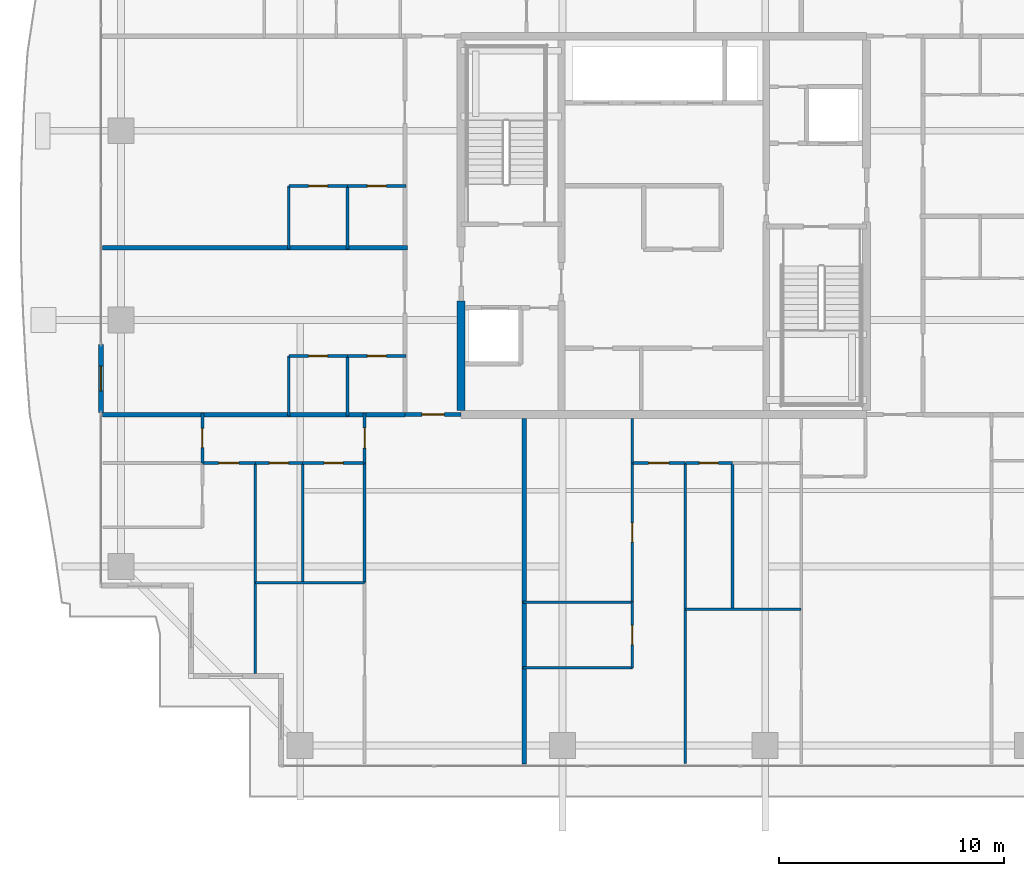
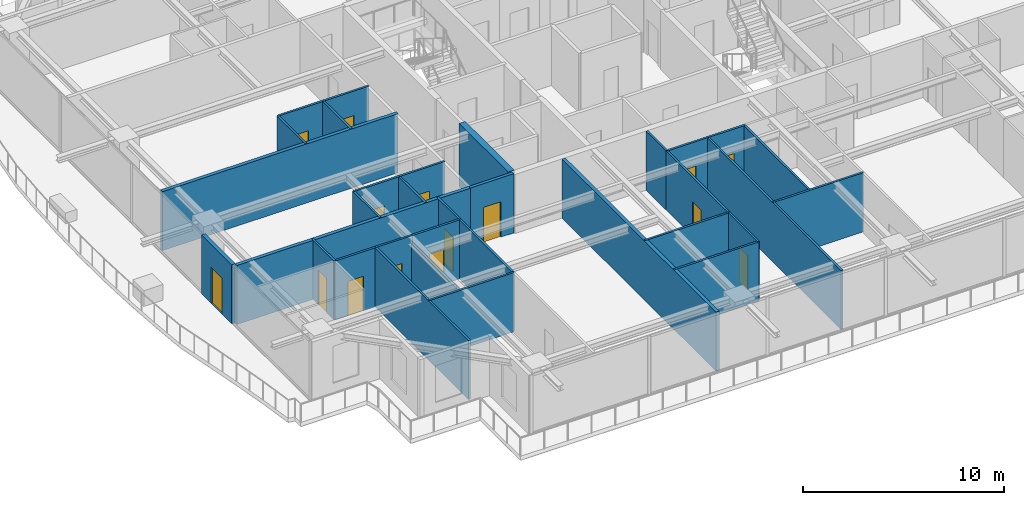
# One storey, part 27 of 39: 33 walls, 15 doors, 15 openings.
"""IFC4 building model written with IfcOpenShell, lengths in metres."""

from ifc_helpers import new_model, si_unit, direction, frame, frame_2d, origin, place, context, subcontext, project, spatial, rectangle, extrude, source, transform, mapped, material, layer, layer_set, type_object, element, fill, save


model = new_model("IFC4")

# Units and contexts
model_context = context("Model", 3, precision=1e-05, world=origin(), true_north=direction((0.0, 1.0)))
body_context = subcontext(model_context, "Body", "Model", "MODEL_VIEW")
ifc_project = project(units=[si_unit("LENGTHUNIT", "METRE"), si_unit("AREAUNIT", "SQUARE_METRE"), si_unit("VOLUMEUNIT", "CUBIC_METRE"), si_unit("PLANEANGLEUNIT", "RADIAN"), si_unit("MASSUNIT", "GRAM", prefix="KILO")], contexts=[model_context])

# Site, building, storey
site_placement = place(None, origin())
site = spatial("IfcSite", under=ifc_project, at=site_placement, CompositionType="ELEMENT")
building_placement = place(site_placement, origin())
building = spatial("IfcBuilding", under=site, at=building_placement, Name="Serunith Strait Residences", CompositionType="ELEMENT")
storey_placement = place(building_placement, frame((0.0, 0.0, 222.0)))
storey = spatial("IfcBuildingStorey", under=building, at=storey_placement, Name="L55", CompositionType="ELEMENT", Elevation=222.0)

# Wall, opening, door
ifc_material_1 = material(Name="Pale-Champagne Aluminium Insulated Panel", Category="aluminium")
ifc_layer_1 = layer(ifc_material_1, 0.219970703125, Name="Pale-Champagne Aluminium Insulated Panel")
ifc_layer_set_1 = layer_set([ifc_layer_1], Name="Pale-Champagne Aluminium Insulated Panel")
wall_type_1 = type_object("IfcWallType", Name="EW-ALUM-220", PredefinedType="ELEMENTEDWALL", material=ifc_layer_set_1)
wall_1_placement = place(storey_placement, frame((7.39990234375, 19.89990234375, 0.0), z_axis=(0.0, 0.0, 1.0), x_axis=(0.0, -1.0, 0.0)))
wall_1 = element("IfcWall", 1, at=wall_1_placement, inside=storey, type_object=wall_type_1, Name="L55 W Facade Pier Wall", PredefinedType="ELEMENTEDWALL", context=body_context, shape_type="SweptSolid", body=[
    extrude(rectangle(XDim=3.0, YDim=0.219970703125, at=frame_2d((1.5, 0.0))), origin(), (0.0, 0.0, 1.0), 3.574951171875),
])
opening_1_placement = place(wall_1_placement, frame((0.949951171875, 0.0, 0.0)))
opening_1 = element("IfcOpeningElement", 2, at=opening_1_placement, cuts=wall_1, Name="Opening ED-03", PredefinedType="OPENING", context=body_context, shape_type="SweptSolid", body=[
    extrude(rectangle(XDim=1.10009765625, YDim=2.199951171875, at=frame_2d((0.550048828125, 1.10009765625))), frame((0.0, 0.1201171875, 0.0), z_axis=(0.0, -1.0, 0.0), x_axis=(1.0, 0.0, 0.0)), (0.0, 0.0, 1.0), 0.239990234375),
])
ifc_material_2 = material(Name="Thermally-Broken Aluminium Glazed Balcony Door", Category="aluminium")
door_type_1 = type_object("IfcDoorType", Name="ED-BALC-1100", OperationType="NOTDEFINED", PredefinedType="DOOR", material=ifc_material_2)
shared_shape_1 = source(origin(), body_context, "Body", "SweptSolid", [
    extrude(rectangle(XDim=1.10009765625, YDim=2.199951171875, at=frame_2d((0.550048828125, 1.10009765625))), frame((0.0, 0.02490234375, 0.0), z_axis=(0.0, -1.0, 0.0), x_axis=(1.0, 0.0, 0.0)), (0.0, 0.0, 1.0), 0.050048828125),
])
door_1_placement = place(opening_1_placement, origin())
door_1 = element("IfcDoor", 3, at=door_1_placement, inside=storey, type_object=door_type_1, Name="L55 W Vertical-Forest Balcony Door", OperationType="SINGLE_SWING_LEFT", OverallHeight=2.199951171875, OverallWidth=1.10009765625, PredefinedType="DOOR", context=body_context, shape_type="MappedRepresentation", body=[
    mapped(shared_shape_1, transform((0.0, 0.0, 0.0), scale=1.0)),
])
fill(opening_1, door_1)

ifc_material_3 = material(Name="Fire-rated acoustic gypsum partition")
ifc_layer_2 = layer(ifc_material_3, 0.179931640625, Name="Fire-rated acoustic gypsum partition")
ifc_layer_set_2 = layer_set([ifc_layer_2], Name="Fire-rated acoustic gypsum partition")
wall_type_2 = type_object("IfcWallType", Name="IW-CORR-180", PredefinedType="PARTITIONING", material=ifc_layer_set_2)
wall_2_placement = place(storey_placement, frame((20.902099609375, 16.800048828125, 0.0), z_axis=(0.0, 0.0, 1.0), x_axis=(1.0, 0.0, 0.0)))
wall_2 = element("IfcWall", 4, at=wall_2_placement, inside=storey, type_object=wall_type_2, Name="L55 Partition Wall 027", PredefinedType="PARTITIONING", context=body_context, shape_type="SweptSolid", body=[
    extrude(rectangle(XDim=2.495849609375, YDim=0.179931640625, at=frame_2d((1.248046875, 0.0))), origin(), (0.0, 0.0, 1.0), 3.590087890625),
])
opening_2_placement = place(wall_2_placement, frame((0.748046875, 0.0, 0.0)))
opening_2 = element("IfcOpeningElement", 5, at=opening_2_placement, cuts=wall_2, Name="Opening D-APT1000", PredefinedType="OPENING", context=body_context, shape_type="SweptSolid", body=[
    extrude(rectangle(XDim=1.0, YDim=2.14990234375, at=frame_2d((0.5, 1.074951171875))), frame((0.0, 0.10009765625, 0.0), z_axis=(0.0, -1.0, 0.0), x_axis=(1.0, 0.0, 0.0)), (0.0, 0.0, 1.0), 0.199951171875),
])
ifc_material_4 = material(Name="Solid timber engineered fire door", Category="wood")
door_type_2 = type_object("IfcDoorType", Name="ID-APT-1000", OperationType="NOTDEFINED", PredefinedType="DOOR", material=ifc_material_4)
shared_shape_2 = source(origin(), body_context, "Body", "SweptSolid", [
    extrude(rectangle(XDim=1.0, YDim=2.14990234375, at=frame_2d((0.5, 1.074951171875))), frame((0.0, 0.02490234375, 0.0), z_axis=(0.0, -1.0, 0.0), x_axis=(1.0, 0.0, 0.0)), (0.0, 0.0, 1.0), 0.050048828125),
])
door_2_placement = place(opening_2_placement, origin())
door_2 = element("IfcDoor", 6, at=door_2_placement, inside=storey, type_object=door_type_2, Name="L55 Unit 01 Entrance Door", OperationType="SINGLE_SWING_LEFT", OverallHeight=2.14990234375, OverallWidth=1.0, PredefinedType="DOOR", context=body_context, shape_type="MappedRepresentation", body=[
    mapped(shared_shape_2, transform((0.0, 0.0, 0.0), scale=1.0)),
])
fill(opening_2, door_2)

ifc_material_5 = material(Name="Lightweight steel-stud gypsum partition", Category="steel")
ifc_layer_3 = layer(ifc_material_5, 0.1201171875, Name="Lightweight steel-stud gypsum partition")
ifc_layer_set_3 = layer_set([ifc_layer_3], Name="Lightweight steel-stud gypsum partition")
wall_type_3 = type_object("IfcWallType", Name="IW-PART-120", PredefinedType="PARTITIONING", material=ifc_layer_set_3)
wall_3_placement = place(storey_placement, frame((19.110107421875, 14.64990234375, 0.0), z_axis=(0.0, 0.0, 1.0), x_axis=(0.0, 1.0, 0.0)))
wall_3 = element("IfcWall", 7, at=wall_3_placement, inside=storey, type_object=wall_type_3, Name="L55 Partition Wall 033", PredefinedType="PARTITIONING", context=body_context, shape_type="SweptSolid", body=[
    extrude(rectangle(XDim=2.210205078125, YDim=0.1201171875, at=frame_2d((1.10498046875, 0.0))), origin(), (0.0, 0.0, 1.0), 3.590087890625),
])
opening_3_placement = place(wall_3_placement, frame((0.655029296875, 0.0, 0.0)))
opening_3 = element("IfcOpeningElement", 8, at=opening_3_placement, cuts=wall_3, Name="Opening D-RM900", PredefinedType="OPENING", context=body_context, shape_type="SweptSolid", body=[
    extrude(rectangle(XDim=0.89990234375, YDim=2.10009765625, at=frame_2d((0.449951171875, 1.050048828125))), frame((0.0, 0.070068359375, 0.0), z_axis=(0.0, -1.0, 0.0), x_axis=(1.0, 0.0, 0.0)), (0.0, 0.0, 1.0), 0.14013671875),
])
ifc_material_6 = material(Name="Engineered timber flush bedroom door", Category="wood")
door_type_3 = type_object("IfcDoorType", Name="ID-ROOM-900", OperationType="NOTDEFINED", PredefinedType="DOOR", material=ifc_material_6)
shared_shape_3 = source(origin(), body_context, "Body", "SweptSolid", [
    extrude(rectangle(XDim=0.89990234375, YDim=2.10009765625, at=frame_2d((0.449951171875, 1.050048828125))), frame((0.0, 0.02490234375, 0.0), z_axis=(0.0, -1.0, 0.0), x_axis=(1.0, 0.0, 0.0)), (0.0, 0.0, 1.0), 0.050048828125),
])
door_3_placement = place(opening_3_placement, origin())
door_3 = element("IfcDoor", 9, at=door_3_placement, inside=storey, type_object=door_type_3, Name="L55 Hall W 5501 Door", OperationType="SINGLE_SWING_LEFT", OverallHeight=2.10009765625, OverallWidth=0.89990234375, PredefinedType="DOOR", context=body_context, shape_type="MappedRepresentation", body=[
    mapped(shared_shape_3, transform((0.0, 0.0, 0.0), scale=1.0)),
])
fill(opening_3, door_3)

# Walls
wall_4_placement = place(storey_placement, frame((19.110107421875, 9.3369140625, 0.0), z_axis=(0.0, 0.0, 1.0), x_axis=(0.0, 1.0, 0.0)))
element("IfcWall", 10, at=wall_4_placement, inside=storey, type_object=wall_type_3, Name="L55 Partition Wall 035", PredefinedType="PARTITIONING", context=body_context, shape_type="SweptSolid", body=[
    extrude(rectangle(XDim=5.31103515625, YDim=0.1201171875, at=frame_2d((2.655517578125, 0.0))), origin(), (0.0, 0.0, 1.0), 3.590087890625),
])
wall_5_placement = place(storey_placement, frame((14.260009765625, 9.3349609375, 0.0), z_axis=(0.0, 0.0, 1.0), x_axis=(1.0, 0.0, 0.0)))
element("IfcWall", 11, at=wall_5_placement, inside=storey, type_object=wall_type_3, Name="L55 Partition Wall 036", PredefinedType="PARTITIONING", context=body_context, shape_type="SweptSolid", body=[
    extrude(rectangle(XDim=4.85009765625, YDim=0.1201171875, at=frame_2d((2.425048828125, 0.0))), origin(), (0.0, 0.0, 1.0), 3.590087890625),
])
wall_6_placement = place(storey_placement, frame((14.260009765625, 5.294921875, 0.0), z_axis=(0.0, 0.0, 1.0), x_axis=(0.0, 1.0, 0.0)))
element("IfcWall", 12, at=wall_6_placement, inside=storey, type_object=wall_type_3, Name="L55 Partition Wall 037", PredefinedType="PARTITIONING", context=body_context, shape_type="SweptSolid", body=[
    extrude(rectangle(XDim=9.35498046875, YDim=0.1201171875, at=frame_2d((4.677490234375, 0.0))), origin(), (0.0, 0.0, 1.0), 3.590087890625),
])
wall_7_placement = place(storey_placement, frame((16.360107421875, 9.3349609375, 0.0), z_axis=(0.0, 0.0, 1.0), x_axis=(0.0, 1.0, 0.0)))
element("IfcWall", 13, at=wall_7_placement, inside=storey, type_object=wall_type_3, Name="L55 Partition Wall 038", PredefinedType="PARTITIONING", context=body_context, shape_type="SweptSolid", body=[
    extrude(rectangle(XDim=5.31494140625, YDim=0.1201171875, at=frame_2d((2.657470703125, 0.0))), origin(), (0.0, 0.0, 1.0), 3.1220703125),
])

# Wall, opening, door
wall_8_placement = place(storey_placement, frame((14.260009765625, 14.64990234375, 0.0), z_axis=(0.0, 0.0, 1.0), x_axis=(1.0, 0.0, 0.0)))
wall_8 = element("IfcWall", 14, at=wall_8_placement, inside=storey, type_object=wall_type_3, Name="L55 Partition Wall 039", PredefinedType="PARTITIONING", context=body_context, shape_type="SweptSolid", body=[
    extrude(rectangle(XDim=2.10009765625, YDim=0.1201171875, at=frame_2d((1.050048828125, 0.0))), origin(), (0.0, 0.0, 1.0), 3.590087890625),
])
opening_4_placement = place(wall_8_placement, frame((0.625, 0.0, 0.0)))
opening_4 = element("IfcOpeningElement", 15, at=opening_4_placement, cuts=wall_8, Name="Opening D-BTH850", PredefinedType="OPENING", context=body_context, shape_type="SweptSolid", body=[
    extrude(rectangle(XDim=0.85009765625, YDim=2.10009765625, at=frame_2d((0.425048828125, 1.050048828125))), frame((0.0, 0.070068359375, 0.0), z_axis=(0.0, -1.0, 0.0), x_axis=(1.0, 0.0, 0.0)), (0.0, 0.0, 1.0), 0.14013671875),
])
ifc_material_7 = material(Name="Moisture-resistant timber bathroom door", Category="wood")
door_type_4 = type_object("IfcDoorType", Name="ID-BATH-850", OperationType="NOTDEFINED", PredefinedType="DOOR", material=ifc_material_7)
shared_shape_4 = source(origin(), body_context, "Body", "SweptSolid", [
    extrude(rectangle(XDim=0.85009765625, YDim=2.10009765625, at=frame_2d((0.425048828125, 1.050048828125))), frame((0.0, 0.02490234375, 0.0), z_axis=(0.0, -1.0, 0.0), x_axis=(1.0, 0.0, 0.0)), (0.0, 0.0, 1.0), 0.050048828125),
])
door_4_placement = place(opening_4_placement, origin())
door_4 = element("IfcDoor", 16, at=door_4_placement, inside=storey, type_object=door_type_4, Name="L55 Bathroom 5501 Door", OperationType="SINGLE_SWING_LEFT", OverallHeight=2.10009765625, OverallWidth=0.85009765625, PredefinedType="DOOR", context=body_context, shape_type="MappedRepresentation", body=[
    mapped(shared_shape_4, transform((0.0, 0.0, 0.0), scale=1.0)),
])
fill(opening_4, door_4)

wall_9_placement = place(storey_placement, frame((16.362060546875, 14.64990234375, 0.0), z_axis=(0.0, 0.0, 1.0), x_axis=(1.0, 0.0, 0.0)))
wall_9 = element("IfcWall", 17, at=wall_9_placement, inside=storey, type_object=wall_type_3, Name="L55 Partition Wall 040", PredefinedType="PARTITIONING", context=body_context, shape_type="SweptSolid", body=[
    extrude(rectangle(XDim=2.748046875, YDim=0.1201171875, at=frame_2d((1.3740234375, 0.0))), origin(), (0.0, 0.0, 1.0), 3.590087890625),
])
opening_5_placement = place(wall_9_placement, frame((0.948974609375, 0.0, 0.0)))
opening_5 = element("IfcOpeningElement", 18, at=opening_5_placement, cuts=wall_9, Name="Opening D-RM850", PredefinedType="OPENING", context=body_context, shape_type="SweptSolid", body=[
    extrude(rectangle(XDim=0.85009765625, YDim=2.10009765625, at=frame_2d((0.425048828125, 1.050048828125))), frame((0.0, 0.070068359375, 0.0), z_axis=(0.0, -1.0, 0.0), x_axis=(1.0, 0.0, 0.0)), (0.0, 0.0, 1.0), 0.14013671875),
])
ifc_material_8 = material(Name="Engineered timber flush study and kitchen door", Category="wood")
door_type_5 = type_object("IfcDoorType", Name="ID-ROOM-850", OperationType="NOTDEFINED", PredefinedType="DOOR", material=ifc_material_8)
door_5_placement = place(opening_5_placement, origin())
door_5 = element("IfcDoor", 19, at=door_5_placement, inside=storey, type_object=door_type_5, Name="L55 Kitchen 5501 Door", OperationType="SINGLE_SWING_RIGHT", OverallHeight=2.10009765625, OverallWidth=0.85009765625, PredefinedType="DOOR", context=body_context, shape_type="MappedRepresentation", body=[
    mapped(shared_shape_4, transform((0.0, 0.0, 0.0), scale=1.0)),
])
fill(opening_5, door_5)

wall_10_placement = place(storey_placement, frame((11.909912109375, 14.64990234375, 0.0), z_axis=(0.0, 0.0, 1.0), x_axis=(1.0, 0.0, 0.0)))
wall_10 = element("IfcWall", 20, at=wall_10_placement, inside=storey, type_object=wall_type_3, Name="L55 Partition Wall 041", PredefinedType="PARTITIONING", context=body_context, shape_type="SweptSolid", body=[
    extrude(rectangle(XDim=2.34814453125, YDim=0.1201171875, at=frame_2d((1.174072265625, 0.0))), origin(), (0.0, 0.0, 1.0), 3.590087890625),
])
opening_6_placement = place(wall_10_placement, frame((0.72412109375, 0.0, 0.0)))
opening_6 = element("IfcOpeningElement", 21, at=opening_6_placement, cuts=wall_10, Name="Opening D-RM900", PredefinedType="OPENING", context=body_context, shape_type="SweptSolid", body=[
    extrude(rectangle(XDim=0.89990234375, YDim=2.10009765625, at=frame_2d((0.449951171875, 1.050048828125))), frame((0.0, 0.070068359375, 0.0), z_axis=(0.0, -1.0, 0.0), x_axis=(1.0, 0.0, 0.0)), (0.0, 0.0, 1.0), 0.14013671875),
])
door_6_placement = place(opening_6_placement, origin())
door_6 = element("IfcDoor", 22, at=door_6_placement, inside=storey, type_object=door_type_3, Name="L55 Master Bedroom W 5501 Door", OperationType="SINGLE_SWING_LEFT", OverallHeight=2.10009765625, OverallWidth=0.89990234375, PredefinedType="DOOR", context=body_context, shape_type="MappedRepresentation", body=[
    mapped(shared_shape_3, transform((0.0, 0.0, 0.0), scale=1.0)),
])
fill(opening_6, door_6)

wall_11_placement = place(storey_placement, frame((11.909912109375, 14.652099609375, 0.0), z_axis=(0.0, 0.0, 1.0), x_axis=(0.0, 1.0, 0.0)))
wall_11 = element("IfcWall", 23, at=wall_11_placement, inside=storey, type_object=wall_type_3, Name="L55 Partition Wall 045", PredefinedType="PARTITIONING", context=body_context, shape_type="SweptSolid", body=[
    extrude(rectangle(XDim=2.2080078125, YDim=0.1201171875, at=frame_2d((1.10400390625, 0.0))), origin(), (0.0, 0.0, 1.0), 3.590087890625),
])
opening_7_placement = place(wall_11_placement, frame((0.678955078125, 0.0, 0.0)))
opening_7 = element("IfcOpeningElement", 24, at=opening_7_placement, cuts=wall_11, Name="Opening D-RM850", PredefinedType="OPENING", context=body_context, shape_type="SweptSolid", body=[
    extrude(rectangle(XDim=0.85009765625, YDim=2.10009765625, at=frame_2d((0.425048828125, 1.050048828125))), frame((0.0, 0.070068359375, 0.0), z_axis=(0.0, -1.0, 0.0), x_axis=(1.0, 0.0, 0.0)), (0.0, 0.0, 1.0), 0.14013671875),
])
door_7_placement = place(opening_7_placement, origin())
door_7 = element("IfcDoor", 25, at=door_7_placement, inside=storey, type_object=door_type_5, Name="L55 Wardrobe W 5501 Door", OperationType="SINGLE_SWING_LEFT", OverallHeight=2.10009765625, OverallWidth=0.85009765625, PredefinedType="DOOR", context=body_context, shape_type="MappedRepresentation", body=[
    mapped(shared_shape_4, transform((0.0, 0.0, 0.0), scale=1.0)),
])
fill(opening_7, door_7)

# Walls
wall_12_placement = place(storey_placement, frame((33.35009765625, 8.14990234375, 0.0), z_axis=(0.0, 0.0, 1.0), x_axis=(1.0, 0.0, 0.0)))
element("IfcWall", 26, at=wall_12_placement, inside=storey, type_object=wall_type_3, Name="L55 Partition Wall 051", PredefinedType="PARTITIONING", context=body_context, shape_type="SweptSolid", body=[
    extrude(rectangle(XDim=5.14990234375, YDim=0.1201171875, at=frame_2d((2.574951171875, 0.0))), origin(), (0.0, 0.0, 1.0), 3.590087890625),
])
wall_13_placement = place(storey_placement, frame((33.35009765625, 1.294921875, 0.0), z_axis=(0.0, 0.0, 1.0), x_axis=(0.0, 1.0, 0.0)))
element("IfcWall", 27, at=wall_13_placement, inside=storey, type_object=wall_type_3, Name="L55 Partition Wall 052", PredefinedType="PARTITIONING", context=body_context, shape_type="SweptSolid", body=[
    extrude(rectangle(XDim=13.35498046875, YDim=0.1201171875, at=frame_2d((6.677490234375, 0.0))), origin(), (0.0, 0.0, 1.0), 3.590087890625),
])
wall_14_placement = place(storey_placement, frame((35.449951171875, 8.14990234375, 0.0), z_axis=(0.0, 0.0, 1.0), x_axis=(0.0, 1.0, 0.0)))
element("IfcWall", 28, at=wall_14_placement, inside=storey, type_object=wall_type_3, Name="L55 Partition Wall 053", PredefinedType="PARTITIONING", context=body_context, shape_type="SweptSolid", body=[
    extrude(rectangle(XDim=6.5, YDim=0.1201171875, at=frame_2d((3.25, 0.0))), origin(), (0.0, 0.0, 1.0), 3.590087890625),
])

# Wall, opening, door
wall_15_placement = place(storey_placement, frame((33.35009765625, 14.64990234375, 0.0), z_axis=(0.0, 0.0, 1.0), x_axis=(1.0, 0.0, 0.0)))
wall_15 = element("IfcWall", 29, at=wall_15_placement, inside=storey, type_object=wall_type_3, Name="L55 Partition Wall 054", PredefinedType="PARTITIONING", context=body_context, shape_type="SweptSolid", body=[
    extrude(rectangle(XDim=2.099853515625, YDim=0.1201171875, at=frame_2d((1.0498046875, 0.0))), origin(), (0.0, 0.0, 1.0), 3.590087890625),
])
opening_8_placement = place(wall_15_placement, frame((0.625, 0.0, 0.0)))
opening_8 = element("IfcOpeningElement", 30, at=opening_8_placement, cuts=wall_15, Name="Opening D-BTH850", PredefinedType="OPENING", context=body_context, shape_type="SweptSolid", body=[
    extrude(rectangle(XDim=0.85009765625, YDim=2.10009765625, at=frame_2d((0.425048828125, 1.050048828125))), frame((0.0, 0.070068359375, 0.0), z_axis=(0.0, -1.0, 0.0), x_axis=(1.0, 0.0, 0.0)), (0.0, 0.0, 1.0), 0.14013671875),
])
door_8_placement = place(opening_8_placement, origin())
door_8 = element("IfcDoor", 31, at=door_8_placement, inside=storey, type_object=door_type_4, Name="L55 Bathroom 5502 Door", OperationType="SINGLE_SWING_LEFT", OverallHeight=2.10009765625, OverallWidth=0.85009765625, PredefinedType="DOOR", context=body_context, shape_type="MappedRepresentation", body=[
    mapped(shared_shape_4, transform((0.0, 0.0, 0.0), scale=1.0)),
])
fill(opening_8, door_8)

wall_16_placement = place(storey_placement, frame((31.0, 14.64990234375, 0.0), z_axis=(0.0, 0.0, 1.0), x_axis=(1.0, 0.0, 0.0)))
wall_16 = element("IfcWall", 32, at=wall_16_placement, inside=storey, type_object=wall_type_3, Name="L55 Partition Wall 056", PredefinedType="PARTITIONING", context=body_context, shape_type="SweptSolid", body=[
    extrude(rectangle(XDim=2.347900390625, YDim=0.1201171875, at=frame_2d((1.173828125, 0.0))), origin(), (0.0, 0.0, 1.0), 3.590087890625),
])
opening_9_placement = place(wall_16_placement, frame((0.72412109375, 0.0, 0.0)))
opening_9 = element("IfcOpeningElement", 33, at=opening_9_placement, cuts=wall_16, Name="Opening D-RM900", PredefinedType="OPENING", context=body_context, shape_type="SweptSolid", body=[
    extrude(rectangle(XDim=0.89990234375, YDim=2.10009765625, at=frame_2d((0.449951171875, 1.050048828125))), frame((0.0, 0.070068359375, 0.0), z_axis=(0.0, -1.0, 0.0), x_axis=(1.0, 0.0, 0.0)), (0.0, 0.0, 1.0), 0.14013671875),
])
door_9_placement = place(opening_9_placement, origin())
door_9 = element("IfcDoor", 34, at=door_9_placement, inside=storey, type_object=door_type_3, Name="L55 Master Bedroom W 5502 Door", OperationType="SINGLE_SWING_LEFT", OverallHeight=2.10009765625, OverallWidth=0.89990234375, PredefinedType="DOOR", context=body_context, shape_type="MappedRepresentation", body=[
    mapped(shared_shape_3, transform((0.0, 0.0, 0.0), scale=1.0)),
])
fill(opening_9, door_9)

# Walls
for number, where, z_axis, x_axis, name in (
    (35, (26.139892578125, 5.552978515625, 0.0), (0.0, 0.0, 1.0), (1.0, 0.0, 0.0), "L55 Partition Wall 057"),
    (36, (26.139892578125, 8.469970703125, 0.0), (0.0, 0.0, 1.0), (1.0, 0.0, 0.0), "L55 Partition Wall 058"),
):
    element("IfcWall", number, at=place(storey_placement, frame(where, z_axis=z_axis, x_axis=x_axis)), inside=storey, type_object=wall_type_3, Name=name, PredefinedType="PARTITIONING", context=body_context, shape_type="SweptSolid", body=[
        extrude(rectangle(XDim=4.860107421875, YDim=0.1201171875, at=frame_2d((2.43017578125, 0.0))), origin(), (0.0, 0.0, 1.0), 3.590087890625),
    ])

# Wall, opening, door
wall_17_placement = place(storey_placement, frame((31.0, 5.552978515625, 0.0), z_axis=(0.0, 0.0, 1.0), x_axis=(0.0, 1.0, 0.0)))
wall_17 = element("IfcWall", 37, at=wall_17_placement, inside=storey, type_object=wall_type_3, Name="L55 Partition Wall 059", PredefinedType="PARTITIONING", context=body_context, shape_type="SweptSolid", body=[
    extrude(rectangle(XDim=2.9169921875, YDim=0.1201171875, at=frame_2d((1.45849609375, 0.0))), origin(), (0.0, 0.0, 1.0), 3.590087890625),
])
opening_10_placement = place(wall_17_placement, frame((1.033935546875, 0.0, 0.0)))
opening_10 = element("IfcOpeningElement", 38, at=opening_10_placement, cuts=wall_17, Name="Opening D-BTH850", PredefinedType="OPENING", context=body_context, shape_type="SweptSolid", body=[
    extrude(rectangle(XDim=0.85009765625, YDim=2.10009765625, at=frame_2d((0.425048828125, 1.050048828125))), frame((0.0, 0.070068359375, 0.0), z_axis=(0.0, -1.0, 0.0), x_axis=(1.0, 0.0, 0.0)), (0.0, 0.0, 1.0), 0.14013671875),
])
door_10_placement = place(opening_10_placement, origin())
door_10 = element("IfcDoor", 39, at=door_10_placement, inside=storey, type_object=door_type_4, Name="L55 En-suite Bathroom W 5502 Door", OperationType="SINGLE_SWING_RIGHT", OverallHeight=2.10009765625, OverallWidth=0.85009765625, PredefinedType="DOOR", context=body_context, shape_type="MappedRepresentation", body=[
    mapped(shared_shape_4, transform((0.0, 0.0, 0.0), scale=1.0)),
])
fill(opening_10, door_10)

wall_18_placement = place(storey_placement, frame((31.0, 8.471923828125, 0.0), z_axis=(0.0, 0.0, 1.0), x_axis=(0.0, 1.0, 0.0)))
wall_18 = element("IfcWall", 40, at=wall_18_placement, inside=storey, type_object=wall_type_3, Name="L55 Partition Wall 060", PredefinedType="PARTITIONING", context=body_context, shape_type="SweptSolid", body=[
    extrude(rectangle(XDim=6.177978515625, YDim=0.1201171875, at=frame_2d((3.0888671875, 0.0))), origin(), (0.0, 0.0, 1.0), 3.590087890625),
])
opening_11_placement = place(wall_18_placement, frame((2.6640625, 0.0, 0.0)))
opening_11 = element("IfcOpeningElement", 41, at=opening_11_placement, cuts=wall_18, Name="Opening D-RM850", PredefinedType="OPENING", context=body_context, shape_type="SweptSolid", body=[
    extrude(rectangle(XDim=0.85009765625, YDim=2.10009765625, at=frame_2d((0.425048828125, 1.050048828125))), frame((0.0, 0.070068359375, 0.0), z_axis=(0.0, -1.0, 0.0), x_axis=(1.0, 0.0, 0.0)), (0.0, 0.0, 1.0), 0.14013671875),
])
door_11_placement = place(opening_11_placement, origin())
door_11 = element("IfcDoor", 42, at=door_11_placement, inside=storey, type_object=door_type_5, Name="L55 Wardrobe W 5502 Door", OperationType="SINGLE_SWING_LEFT", OverallHeight=2.10009765625, OverallWidth=0.85009765625, PredefinedType="DOOR", context=body_context, shape_type="MappedRepresentation", body=[
    mapped(shared_shape_4, transform((0.0, 0.0, 0.0), scale=1.0)),
])
fill(opening_11, door_11)

# Wall
wall_19_placement = place(storey_placement, frame((31.0, 14.652099609375, 0.0), z_axis=(0.0, 0.0, 1.0), x_axis=(0.0, 1.0, 0.0)))
element("IfcWall", 43, at=wall_19_placement, inside=storey, type_object=wall_type_3, Name="L55 Partition Wall 061", PredefinedType="PARTITIONING", context=body_context, shape_type="SweptSolid", body=[
    extrude(rectangle(XDim=1.972900390625, YDim=0.1201171875, at=frame_2d((0.986328125, 0.0))), origin(), (0.0, 0.0, 1.0), 3.590087890625),
])

# Wall, opening, door
wall_20_placement = place(storey_placement, frame((15.75, 19.39990234375, 0.0), z_axis=(0.0, 0.0, 1.0), x_axis=(1.0, 0.0, 0.0)))
wall_20 = element("IfcWall", 44, at=wall_20_placement, inside=storey, type_object=wall_type_3, Name="L55 Partition Wall 103", PredefinedType="PARTITIONING", context=body_context, shape_type="SweptSolid", body=[
    extrude(rectangle(XDim=2.60009765625, YDim=0.1201171875, at=frame_2d((1.300048828125, 0.0))), origin(), (0.0, 0.0, 1.0), 3.590087890625),
])
opening_12_placement = place(wall_20_placement, frame((0.875, 0.0, 0.0)))
opening_12 = element("IfcOpeningElement", 45, at=opening_12_placement, cuts=wall_20, Name="Opening D-RM850", PredefinedType="OPENING", context=body_context, shape_type="SweptSolid", body=[
    extrude(rectangle(XDim=0.85009765625, YDim=2.10009765625, at=frame_2d((0.425048828125, 1.050048828125))), frame((0.0, 0.070068359375, 0.0), z_axis=(0.0, -1.0, 0.0), x_axis=(1.0, 0.0, 0.0)), (0.0, 0.0, 1.0), 0.14013671875),
])
door_12_placement = place(opening_12_placement, origin())
door_12 = element("IfcDoor", 46, at=door_12_placement, inside=storey, type_object=door_type_5, Name="L55 Kitchen 5505 Door", OperationType="SINGLE_SWING_LEFT", OverallHeight=2.10009765625, OverallWidth=0.85009765625, PredefinedType="DOOR", context=body_context, shape_type="MappedRepresentation", body=[
    mapped(shared_shape_4, transform((0.0, 0.0, 0.0), scale=1.0)),
])
fill(opening_12, door_12)

wall_21_placement = place(storey_placement, frame((18.35205078125, 19.39990234375, 0.0), z_axis=(0.0, 0.0, 1.0), x_axis=(1.0, 0.0, 0.0)))
wall_21 = element("IfcWall", 47, at=wall_21_placement, inside=storey, type_object=wall_type_3, Name="L55 Partition Wall 104", PredefinedType="PARTITIONING", context=body_context, shape_type="SweptSolid", body=[
    extrude(rectangle(XDim=2.60791015625, YDim=0.1201171875, at=frame_2d((1.303955078125, 0.0))), origin(), (0.0, 0.0, 1.0), 3.590087890625),
])
opening_13_placement = place(wall_21_placement, frame((0.87890625, 0.0, 0.0)))
opening_13 = element("IfcOpeningElement", 48, at=opening_13_placement, cuts=wall_21, Name="Opening D-BTH850", PredefinedType="OPENING", context=body_context, shape_type="SweptSolid", body=[
    extrude(rectangle(XDim=0.85009765625, YDim=2.10009765625, at=frame_2d((0.425048828125, 1.050048828125))), frame((0.0, 0.070068359375, 0.0), z_axis=(0.0, -1.0, 0.0), x_axis=(1.0, 0.0, 0.0)), (0.0, 0.0, 1.0), 0.14013671875),
])
door_13_placement = place(opening_13_placement, origin())
door_13 = element("IfcDoor", 49, at=door_13_placement, inside=storey, type_object=door_type_4, Name="L55 Bathroom 5505 Door", OperationType="SINGLE_SWING_RIGHT", OverallHeight=2.10009765625, OverallWidth=0.85009765625, PredefinedType="DOOR", context=body_context, shape_type="MappedRepresentation", body=[
    mapped(shared_shape_4, transform((0.0, 0.0, 0.0), scale=1.0)),
])
fill(opening_13, door_13)

# Walls
for number, where, z_axis, x_axis, name in (
    (50, (18.35009765625, 16.739990234375, 0.0), (0.0, 0.0, 1.0), (0.0, 1.0, 0.0), "L55 Partition Wall 105"),
    (51, (15.75, 16.739990234375, 0.0), (0.0, 0.0, 1.0), (0.0, 1.0, 0.0), "L55 Partition Wall 106"),
):
    element("IfcWall", number, at=place(storey_placement, frame(where, z_axis=z_axis, x_axis=x_axis)), inside=storey, type_object=wall_type_3, Name=name, PredefinedType="PARTITIONING", context=body_context, shape_type="SweptSolid", body=[
        extrude(rectangle(XDim=2.659912109375, YDim=0.1201171875, at=frame_2d((1.330078125, 0.0))), origin(), (0.0, 0.0, 1.0), 3.590087890625),
    ])

# Wall, opening, door
wall_22_placement = place(storey_placement, frame((15.75, 26.949951171875, 0.0), z_axis=(0.0, 0.0, 1.0), x_axis=(1.0, 0.0, 0.0)))
wall_22 = element("IfcWall", 52, at=wall_22_placement, inside=storey, type_object=wall_type_3, Name="L55 Partition Wall 107", PredefinedType="PARTITIONING", context=body_context, shape_type="SweptSolid", body=[
    extrude(rectangle(XDim=2.60009765625, YDim=0.1201171875, at=frame_2d((1.300048828125, 0.0))), origin(), (0.0, 0.0, 1.0), 3.590087890625),
])
opening_14_placement = place(wall_22_placement, frame((0.875, 0.0, 0.0)))
opening_14 = element("IfcOpeningElement", 53, at=opening_14_placement, cuts=wall_22, Name="Opening D-RM850", PredefinedType="OPENING", context=body_context, shape_type="SweptSolid", body=[
    extrude(rectangle(XDim=0.85009765625, YDim=2.10009765625, at=frame_2d((0.425048828125, 1.050048828125))), frame((0.0, 0.070068359375, 0.0), z_axis=(0.0, -1.0, 0.0), x_axis=(1.0, 0.0, 0.0)), (0.0, 0.0, 1.0), 0.14013671875),
])
door_14_placement = place(opening_14_placement, origin())
door_14 = element("IfcDoor", 54, at=door_14_placement, inside=storey, type_object=door_type_5, Name="L55 Kitchen 5506 Door", OperationType="SINGLE_SWING_LEFT", OverallHeight=2.10009765625, OverallWidth=0.85009765625, PredefinedType="DOOR", context=body_context, shape_type="MappedRepresentation", body=[
    mapped(shared_shape_4, transform((0.0, 0.0, 0.0), scale=1.0)),
])
fill(opening_14, door_14)

wall_23_placement = place(storey_placement, frame((18.35205078125, 26.949951171875, 0.0), z_axis=(0.0, 0.0, 1.0), x_axis=(1.0, 0.0, 0.0)))
wall_23 = element("IfcWall", 55, at=wall_23_placement, inside=storey, type_object=wall_type_3, Name="L55 Partition Wall 108", PredefinedType="PARTITIONING", context=body_context, shape_type="SweptSolid", body=[
    extrude(rectangle(XDim=2.60791015625, YDim=0.1201171875, at=frame_2d((1.303955078125, 0.0))), origin(), (0.0, 0.0, 1.0), 3.590087890625),
])
opening_15_placement = place(wall_23_placement, frame((0.87890625, 0.0, 0.0)))
opening_15 = element("IfcOpeningElement", 56, at=opening_15_placement, cuts=wall_23, Name="Opening D-BTH850", PredefinedType="OPENING", context=body_context, shape_type="SweptSolid", body=[
    extrude(rectangle(XDim=0.85009765625, YDim=2.10009765625, at=frame_2d((0.425048828125, 1.050048828125))), frame((0.0, 0.070068359375, 0.0), z_axis=(0.0, -1.0, 0.0), x_axis=(1.0, 0.0, 0.0)), (0.0, 0.0, 1.0), 0.14013671875),
])
door_15_placement = place(opening_15_placement, origin())
door_15 = element("IfcDoor", 57, at=door_15_placement, inside=storey, type_object=door_type_4, Name="L55 Bathroom 5506 Door", OperationType="SINGLE_SWING_RIGHT", OverallHeight=2.10009765625, OverallWidth=0.85009765625, PredefinedType="DOOR", context=body_context, shape_type="MappedRepresentation", body=[
    mapped(shared_shape_4, transform((0.0, 0.0, 0.0), scale=1.0)),
])
fill(opening_15, door_15)

# Walls
for number, where, z_axis, x_axis, name in (
    (58, (18.35009765625, 24.139892578125, 0.0), (0.0, 0.0, 1.0), (0.0, 1.0, 0.0), "L55 Partition Wall 109"),
    (59, (15.75, 24.139892578125, 0.0), (0.0, 0.0, 1.0), (0.0, 1.0, 0.0), "L55 Partition Wall 110"),
):
    element("IfcWall", number, at=place(storey_placement, frame(where, z_axis=z_axis, x_axis=x_axis)), inside=storey, type_object=wall_type_3, Name=name, PredefinedType="PARTITIONING", context=body_context, shape_type="SweptSolid", body=[
        extrude(rectangle(XDim=2.81005859375, YDim=0.1201171875, at=frame_2d((1.405029296875, 0.0))), origin(), (0.0, 0.0, 1.0), 3.590087890625),
    ])
ifc_material_9 = material(Name="Twin-stud acoustic gypsum board partition")
ifc_layer_4 = layer(ifc_material_9, 0.199951171875, Name="Twin-stud acoustic gypsum board partition")
ifc_layer_set_4 = layer_set([ifc_layer_4], Name="Twin-stud acoustic gypsum board partition")
wall_type_4 = type_object("IfcWallType", Name="IW-PARTY-200", PredefinedType="PARTITIONING", material=ifc_layer_set_4)
wall_24_placement = place(storey_placement, frame((26.199951171875, 1.281982421875, 0.0), z_axis=(0.0, 0.0, 1.0), x_axis=(0.0, 1.0, 0.0)))
element("IfcWall", 60, at=wall_24_placement, inside=storey, type_object=wall_type_4, Name="L55 Partition Wall 019", PredefinedType="PARTITIONING", context=body_context, shape_type="SweptSolid", body=[
    extrude(rectangle(XDim=15.343017578125, YDim=0.199951171875, at=frame_2d((7.67138671875, 0.0))), origin(), (0.0, 0.0, 1.0), 3.590087890625),
])
wall_25_placement = place(storey_placement, frame((7.48193359375, 24.199951171875, 0.0), z_axis=(0.0, 0.0, 1.0), x_axis=(1.0, 0.0, 0.0)))
element("IfcWall", 61, at=wall_25_placement, inside=storey, type_object=wall_type_4, Name="L55 Partition Wall 021", PredefinedType="PARTITIONING", context=body_context, shape_type="SweptSolid", body=[
    extrude(rectangle(XDim=13.5380859375, YDim=0.199951171875, at=frame_2d((6.76904296875, 0.0))), origin(), (0.0, 0.0, 1.0), 3.590087890625),
])
wall_26_placement = place(storey_placement, frame((7.48193359375, 16.800048828125, 0.0), z_axis=(0.0, 0.0, 1.0), x_axis=(1.0, 0.0, 0.0)))
element("IfcWall", 62, at=wall_26_placement, inside=storey, type_object=wall_type_4, Name="L55 Partition Wall 023", PredefinedType="PARTITIONING", context=body_context, shape_type="SweptSolid", body=[
    extrude(rectangle(XDim=13.41796875, YDim=0.199951171875, at=frame_2d((6.708984375, 0.0))), origin(), (0.0, 0.0, 1.0), 3.590087890625),
])
ifc_material_10 = material(Name="Concrete C60/75", Category="concrete")
ifc_layer_5 = layer(ifc_material_10, 0.35009765625, Name="Concrete C60/75")
ifc_layer_set_5 = layer_set([ifc_layer_5], Name="Concrete C60/75")
wall_type_5 = type_object("IfcWallType", Name="SW-350-C60", PredefinedType="SHEAR", material=ifc_layer_set_5)
wall_27_placement = place(storey_placement, frame((23.39990234375, 16.97509765625, -0.260009765625), z_axis=(0.0, 0.0, 1.0), x_axis=(0.0, 1.0, 0.0)))
element("IfcWall", 63, at=wall_27_placement, inside=storey, type_object=wall_type_5, Name="L55 Core West Shear Wall South Pier", PredefinedType="SHEAR", context=body_context, shape_type="SweptSolid", body=[
    extrude(rectangle(XDim=4.875, YDim=0.35009765625, at=frame_2d((2.4375, 0.0))), origin(), (0.0, 0.0, 1.0), 3.847900390625),
])

save(model, "model.ifc")
